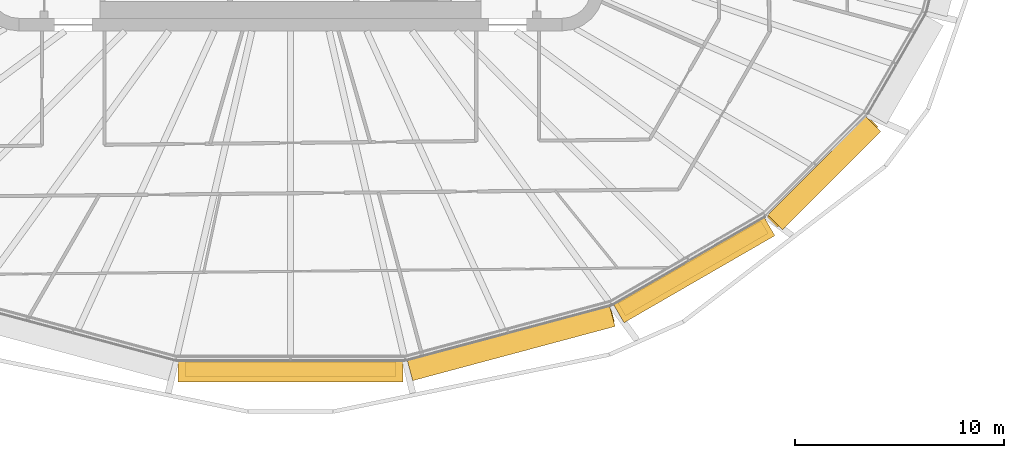
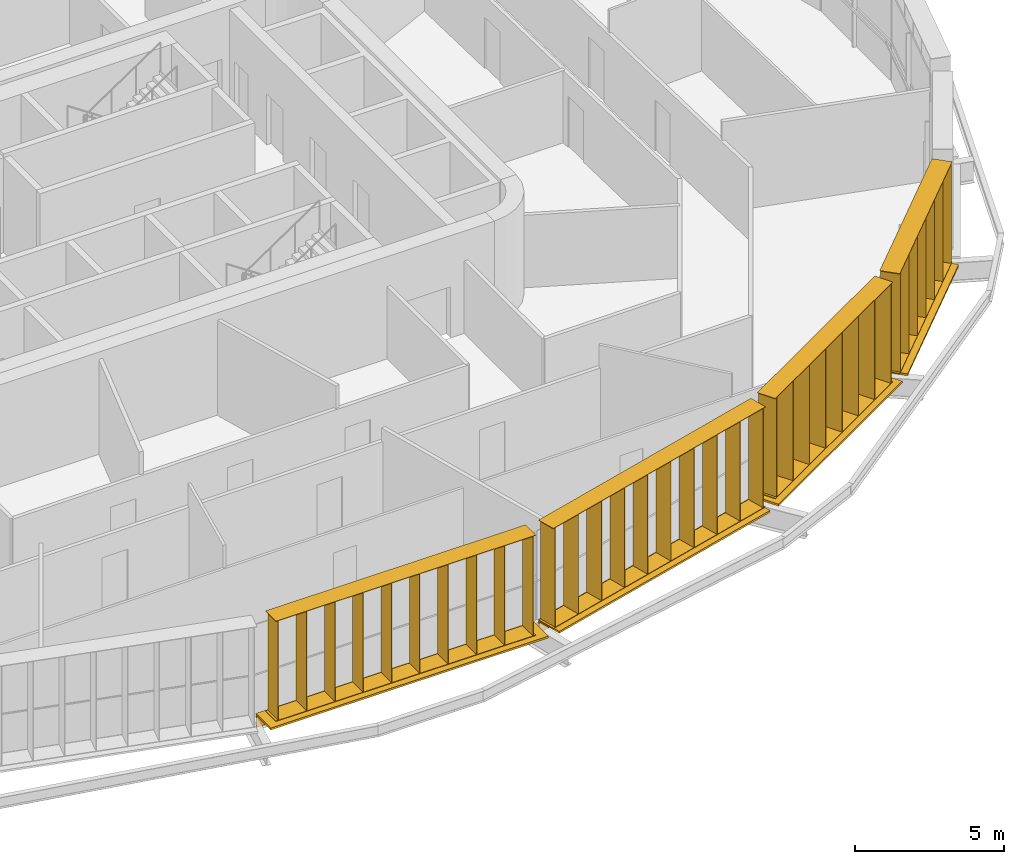
# One storey, part 23 of 26: 8 shading devices.
"""IFC4 building model written with IfcOpenShell, lengths in metres."""

import ifcopenshell
import ifcopenshell.guid

model = None  # the IFC model being written
_history = None  # IfcOwnerHistory: only IFC2X3 demands one
_inside = {}  # id of a spatial element -> (the spatial element, [elements in it])
_under = {}  # id of a project, library or spatial element -> (it, [spatial elements below it])
_declared = {}  # id of a project -> (the project, [libraries it declares])
_typed = {}  # id of a type object -> (the type object, [elements of that type])
_made_of = {}  # id of a material, layer set ... -> (it, [elements and type objects made of it])


def new_model(schema):
    """Start an empty IFC model of exactly this schema.

    Asked for "IFC4X3", IfcOpenShell would pick the latest addendum, in which some entities
    have other attributes; the version numbers below select the first issue.
    IFC2X3 requires an IfcOwnerHistory on every rooted entity: one is made here for all.
    """
    global model, _history
    if schema == "IFC4X3":
        model = ifcopenshell.file(schema_version=(4, 3, 0, 0))
    else:
        model = ifcopenshell.file(schema=schema)
    _inside.clear()
    _under.clear()
    _declared.clear()
    _typed.clear()
    _made_of.clear()
    _history = None
    if model.schema == "IFC2X3":
        org = make("IfcOrganization", Name="unknown")
        user = make(
            "IfcPersonAndOrganization",
            ThePerson=make("IfcPerson", FamilyName="unknown"),
            TheOrganization=org,
        )
        app = make(
            "IfcApplication",
            ApplicationDeveloper=org,
            Version="unknown",
            ApplicationFullName="unknown",
            ApplicationIdentifier="unknown",
        )
        _history = make(
            "IfcOwnerHistory",
            OwningUser=user,
            OwningApplication=app,
            ChangeAction="ADDED",
            CreationDate=0,
        )
    return model


def make(cls, **values):
    """One entity of the class cls with the attributes given. An attribute that is None is left unset."""
    return model.create_entity(
        cls, **{name: value for name, value in values.items() if value is not None}
    )


def rooted(cls, **values):
    """An entity with a GlobalId (a new one), such as an element, a storey or a relation."""
    return make(cls, GlobalId=ifcopenshell.guid.new(), OwnerHistory=_history, **values)


def si_unit(unit_type, name, prefix=None):
    """IfcSIUnit, for example si_unit("LENGTHUNIT", "METRE", prefix="MILLI")."""
    return make("IfcSIUnit", UnitType=unit_type, Prefix=prefix, Name=name)


def assignment(units):
    """IfcUnitAssignment: the units of a project."""
    return None if units is None else make("IfcUnitAssignment", Units=units)


def point(xyz):
    """IfcCartesianPoint."""
    return None if xyz is None else make("IfcCartesianPoint", Coordinates=xyz)


def direction(xyz):
    """IfcDirection."""
    return None if xyz is None else make("IfcDirection", DirectionRatios=xyz)


def frame(location, z_axis=None, x_axis=None):
    """IfcAxis2Placement3D, a coordinate frame: its origin and axes. An axis left out is left unset."""
    return make(
        "IfcAxis2Placement3D",
        Location=point(location),
        Axis=direction(z_axis),
        RefDirection=direction(x_axis),
    )


def frame_2d(location, x_axis=None):
    """IfcAxis2Placement2D, a coordinate frame in the plane: its origin and x axis."""
    return make(
        "IfcAxis2Placement2D", Location=point(location), RefDirection=direction(x_axis)
    )


def origin():
    """The frame at (0, 0, 0) with its axes left unset."""
    return frame((0.0, 0.0, 0.0))


def origin_2d():
    """The frame at (0, 0) in the plane with its x axis left unset."""
    return frame_2d((0.0, 0.0))


def place(relative_to, where):
    """IfcLocalPlacement: puts the frame where relative to a parent placement (None: the world)."""
    return make(
        "IfcLocalPlacement", PlacementRelTo=relative_to, RelativePlacement=where
    )


def context(
    kind, dimensions, precision=None, world=None, true_north=None, identifier=None
):
    """IfcGeometricRepresentationContext, for example the 3D "Model" context."""
    return make(
        "IfcGeometricRepresentationContext",
        ContextIdentifier=identifier,
        ContextType=kind,
        CoordinateSpaceDimension=dimensions,
        Precision=precision,
        WorldCoordinateSystem=world,
        TrueNorth=true_north,
    )


def subcontext(parent, identifier, kind, view, scale=None):
    """IfcGeometricRepresentationSubContext, for example "Body" below "Model"."""
    return make(
        "IfcGeometricRepresentationSubContext",
        ContextIdentifier=identifier,
        ContextType=kind,
        ParentContext=parent,
        TargetScale=scale,
        TargetView=view,
    )


def project(units=None, contexts=None):
    """IfcProject with its units and contexts."""
    return rooted(
        "IfcProject",
        Name="project",
        RepresentationContexts=contexts,
        UnitsInContext=assignment(units),
    )


def spatial(cls, under=None, at=None, **own):
    """A site, building, storey or space (cls), placed at a placement, below another one or the project."""
    s = rooted(cls, ObjectPlacement=at, **own)
    if under is not None:
        _under.setdefault(under.id(), (under, []))[1].append(s)
    return s


def profile(cls, at=None, kind="AREA", **sizes):
    """A parametric profile (cls). Its sizes go by their IFC names, for example OverallWidth=200.0."""
    return make(cls, ProfileType=kind, Position=at, **sizes)


def rectangle(**sizes):
    """IfcRectangleProfileDef."""
    return profile("IfcRectangleProfileDef", **sizes)


def extrude(swept, where, along, depth):
    """IfcExtrudedAreaSolid: the profile swept, set in the frame where, extruded along a direction by depth."""
    return make(
        "IfcExtrudedAreaSolid",
        SweptArea=swept,
        Position=where,
        ExtrudedDirection=direction(along),
        Depth=depth,
    )


def shape(context_of_items, identifier, shape_type, items):
    """IfcShapeRepresentation: the items that make up one representation, for example the "Body"."""
    return make(
        "IfcShapeRepresentation",
        ContextOfItems=context_of_items,
        RepresentationIdentifier=identifier,
        RepresentationType=shape_type,
        Items=items,
    )


def material(Name=None, Category=None):
    """IfcMaterial."""
    return make("IfcMaterial", Name=Name, Category=Category)


def made_of(thing, what):
    """Note that an element or type object is made of a material, layer set ...; save() writes the relation."""
    if what is not None:
        _made_of.setdefault(what.id(), (what, []))[1].append(thing)
    return thing


def type_object(cls, material=None, **own):
    """A type object (cls), such as IfcWallType, which elements share."""
    return made_of(rooted(cls, **own), material)


def element(
    cls,
    number,
    at=None,
    inside=None,
    cuts=None,
    type_object=None,
    material=None,
    context=None,
    identifier="Body",
    shape_type=None,
    held_by="IfcProductDefinitionShape",
    body=None,
    shapes=None,
    **own,
):
    """One element of the class cls, such as IfcWall. Its Tag is "e" and its number.

    at: its placement. inside: the storey or other place that contains it. cuts: it is an
    opening in that element (IfcRelVoidsElement). A single representation is given by context,
    identifier, shape_type and body (its items); several are given by shapes. held_by: the class
    of the entity that holds the representations. save() writes the other relations.
    """
    e = rooted(cls, Tag="e%d" % number, ObjectPlacement=at, **own)
    if body is not None:
        shapes = [shape(context, identifier, shape_type, body)]
    if shapes is not None:
        e.Representation = make(held_by, Representations=shapes)
    if inside is not None:
        _inside.setdefault(inside.id(), (inside, []))[1].append(e)
    if cuts is not None:
        rooted(
            "IfcRelVoidsElement", RelatingBuildingElement=cuts, RelatedOpeningElement=e
        )
    if type_object is not None:
        _typed.setdefault(type_object.id(), (type_object, []))[1].append(e)
    return made_of(e, material)


def aggregate(whole, parts):
    """IfcRelAggregates: a whole, such as a stair, and the parts it consists of."""
    return rooted("IfcRelAggregates", RelatingObject=whole, RelatedObjects=parts)


def save(model, path):
    """Write the relations noted so far, then the file.

    IfcRelAggregates (storeys below a building ...), IfcRelContainedInSpatialStructure (elements
    in a storey), IfcRelDefinesByType, IfcRelAssociatesMaterial and IfcRelDeclares: one each for
    every whole, place, type object, material and project.
    """
    for whole, parts in _under.values():
        aggregate(whole, parts)
    for where, things in _inside.values():
        rooted(
            "IfcRelContainedInSpatialStructure",
            RelatedElements=things,
            RelatingStructure=where,
        )
    for kind, things in _typed.values():
        rooted("IfcRelDefinesByType", RelatedObjects=things, RelatingType=kind)
    for what, things in _made_of.values():
        rooted("IfcRelAssociatesMaterial", RelatedObjects=things, RelatingMaterial=what)
    for by, libraries in _declared.values():
        rooted("IfcRelDeclares", RelatingContext=by, RelatedDefinitions=libraries)
    model.write(path)


model = new_model("IFC4")

# Units and contexts
model_context = context("Model", 3, precision=1e-05, world=origin(), true_north=direction((0.0, 1.0)))
body_context = subcontext(model_context, "Body", "Model", "MODEL_VIEW")
ifc_project = project(units=[si_unit("LENGTHUNIT", "METRE"), si_unit("AREAUNIT", "SQUARE_METRE"), si_unit("VOLUMEUNIT", "CUBIC_METRE"), si_unit("PLANEANGLEUNIT", "RADIAN"), si_unit("MASSUNIT", "GRAM", prefix="KILO")], contexts=[model_context])

# Site, building, storey
site_placement = place(None, origin())
site = spatial("IfcSite", under=ifc_project, at=site_placement, CompositionType="ELEMENT")
building_placement = place(site_placement, origin())
building = spatial("IfcBuilding", under=site, at=building_placement, Name="Sahrelin Media Tower", CompositionType="ELEMENT")
storey_placement = place(building_placement, frame((0.0, 0.0, 84.0)))
storey = spatial("IfcBuildingStorey", under=building, at=storey_placement, Name="L15", CompositionType="ELEMENT", Elevation=84.0)

# Shading devices
ifc_material = material(Name="Champagne anodised aluminium 6063-T6", Category="aluminium")
shading_device_type_1 = type_object("IfcShadingDeviceType", Name="Fin cassette", PredefinedType="USERDEFINED", material=ifc_material)
placement_1 = place(storey_placement, frame((0.0, -23.786376953125, 0.0), z_axis=(0.0, 0.0, 1.0), x_axis=(-1.0, 0.0, 0.0)))
element("IfcShadingDevice", 1, at=placement_1, inside=storey, type_object=shading_device_type_1, Name="L15:FIN:L15-18", ObjectType="FIN", PredefinedType="USERDEFINED", context=body_context, shape_type="SweptSolid", body=[
    extrude(rectangle(XDim=10.10009765625, YDim=0.699951171875, at=origin_2d()), frame((0.0, 0.419921875, 0.0)), (0.0, 0.0, 1.0), 0.02001953125),
    extrude(rectangle(XDim=10.10009765625, YDim=0.699951171875, at=origin_2d()), frame((0.0, 0.419921875, 4.10009765625)), (0.0, 0.0, 1.0), 0.02001953125),
    extrude(rectangle(XDim=0.02001953125, YDim=0.699951171875, at=origin_2d()), frame((-4.949951171875, 0.419921875, 0.010009765625), z_axis=(0.0, 0.0, 1.0), x_axis=(1.0, 0.0, 0.0)), (0.0, 0.0, 1.0), 4.10009765625),
    extrude(rectangle(XDim=0.02001953125, YDim=0.699951171875, at=origin_2d()), frame((-3.85009765625, 0.419921875, 0.010009765625), z_axis=(0.0, 0.0, 1.0), x_axis=(1.0, 0.0, 0.0)), (0.0, 0.0, 1.0), 4.10009765625),
    extrude(rectangle(XDim=0.02001953125, YDim=0.699951171875, at=origin_2d()), frame((-2.75, 0.419921875, 0.010009765625), z_axis=(0.0, 0.0, 1.0), x_axis=(1.0, 0.0, 0.0)), (0.0, 0.0, 1.0), 4.10009765625),
    extrude(rectangle(XDim=0.02001953125, YDim=0.699951171875, at=origin_2d()), frame((-1.64990234375, 0.419921875, 0.010009765625), z_axis=(0.0, 0.0, 1.0), x_axis=(1.0, 0.0, 0.0)), (0.0, 0.0, 1.0), 4.10009765625),
    extrude(rectangle(XDim=0.02001953125, YDim=0.699951171875, at=origin_2d()), frame((-0.550048828125, 0.419921875, 0.010009765625), z_axis=(0.0, 0.0, 1.0), x_axis=(1.0, 0.0, 0.0)), (0.0, 0.0, 1.0), 4.10009765625),
    extrude(rectangle(XDim=0.02001953125, YDim=0.699951171875, at=origin_2d()), frame((0.550048828125, 0.419921875, 0.010009765625), z_axis=(0.0, 0.0, 1.0), x_axis=(1.0, 0.0, 0.0)), (0.0, 0.0, 1.0), 4.10009765625),
    extrude(rectangle(XDim=0.02001953125, YDim=0.699951171875, at=origin_2d()), frame((1.64990234375, 0.419921875, 0.010009765625), z_axis=(0.0, 0.0, 1.0), x_axis=(1.0, 0.0, 0.0)), (0.0, 0.0, 1.0), 4.10009765625),
    extrude(rectangle(XDim=0.02001953125, YDim=0.699951171875, at=origin_2d()), frame((2.75, 0.419921875, 0.010009765625), z_axis=(0.0, 0.0, 1.0), x_axis=(1.0, 0.0, 0.0)), (0.0, 0.0, 1.0), 4.10009765625),
    extrude(rectangle(XDim=0.02001953125, YDim=0.699951171875, at=origin_2d()), frame((3.85009765625, 0.419921875, 0.010009765625), z_axis=(0.0, 0.0, 1.0), x_axis=(1.0, 0.0, 0.0)), (0.0, 0.0, 1.0), 4.10009765625),
    extrude(rectangle(XDim=0.02001953125, YDim=0.699951171875, at=origin_2d()), frame((4.949951171875, 0.419921875, 0.010009765625), z_axis=(0.0, 0.0, 1.0), x_axis=(1.0, 0.0, 0.0)), (0.0, 0.0, 1.0), 4.10009765625),
])
placement_2 = place(storey_placement, frame((10.436279296875, -22.4619140625, 0.0), z_axis=(0.0, 0.0, 1.0), x_axis=(-0.965928857556, -0.258807731996, 0.0)))
element("IfcShadingDevice", 2, at=placement_2, inside=storey, type_object=shading_device_type_1, Name="L15:FIN:L15-19", ObjectType="FIN", PredefinedType="USERDEFINED", context=body_context, shape_type="SweptSolid", body=[
    extrude(rectangle(XDim=10.10009765625, YDim=0.699951171875, at=origin_2d()), frame((0.0, 0.419921875, 0.0)), (0.0, 0.0, 1.0), 0.02001953125),
    extrude(rectangle(XDim=10.10009765625, YDim=0.699951171875, at=origin_2d()), frame((0.0, 0.419921875, 4.10009765625)), (0.0, 0.0, 1.0), 0.02001953125),
    extrude(rectangle(XDim=0.02001953125, YDim=0.699951171875, at=origin_2d()), frame((-4.949951171875, 0.419921875, 0.010009765625), z_axis=(0.0, 0.0, 1.0), x_axis=(1.0, 0.0, 0.0)), (0.0, 0.0, 1.0), 4.10009765625),
    extrude(rectangle(XDim=0.02001953125, YDim=0.699951171875, at=origin_2d()), frame((-3.85009765625, 0.419921875, 0.010009765625), z_axis=(0.0, 0.0, 1.0), x_axis=(1.0, 0.0, 0.0)), (0.0, 0.0, 1.0), 4.10009765625),
    extrude(rectangle(XDim=0.02001953125, YDim=0.699951171875, at=origin_2d()), frame((-2.75, 0.419921875, 0.010009765625), z_axis=(0.0, 0.0, 1.0), x_axis=(1.0, 0.0, 0.0)), (0.0, 0.0, 1.0), 4.10009765625),
    extrude(rectangle(XDim=0.02001953125, YDim=0.699951171875, at=origin_2d()), frame((-1.64990234375, 0.419921875, 0.010009765625), z_axis=(0.0, 0.0, 1.0), x_axis=(1.0, 0.0, 0.0)), (0.0, 0.0, 1.0), 4.10009765625),
    extrude(rectangle(XDim=0.02001953125, YDim=0.699951171875, at=origin_2d()), frame((-0.550048828125, 0.419921875, 0.010009765625), z_axis=(0.0, 0.0, 1.0), x_axis=(1.0, 0.0, 0.0)), (0.0, 0.0, 1.0), 4.10009765625),
    extrude(rectangle(XDim=0.02001953125, YDim=0.699951171875, at=origin_2d()), frame((0.550048828125, 0.419921875, 0.010009765625), z_axis=(0.0, 0.0, 1.0), x_axis=(1.0, 0.0, 0.0)), (0.0, 0.0, 1.0), 4.10009765625),
    extrude(rectangle(XDim=0.02001953125, YDim=0.699951171875, at=origin_2d()), frame((1.64990234375, 0.419921875, 0.010009765625), z_axis=(0.0, 0.0, 1.0), x_axis=(1.0, 0.0, 0.0)), (0.0, 0.0, 1.0), 4.10009765625),
    extrude(rectangle(XDim=0.02001953125, YDim=0.699951171875, at=origin_2d()), frame((2.75, 0.419921875, 0.010009765625), z_axis=(0.0, 0.0, 1.0), x_axis=(1.0, 0.0, 0.0)), (0.0, 0.0, 1.0), 4.10009765625),
    extrude(rectangle(XDim=0.02001953125, YDim=0.699951171875, at=origin_2d()), frame((3.85009765625, 0.419921875, 0.010009765625), z_axis=(0.0, 0.0, 1.0), x_axis=(1.0, 0.0, 0.0)), (0.0, 0.0, 1.0), 4.10009765625),
    extrude(rectangle(XDim=0.02001953125, YDim=0.699951171875, at=origin_2d()), frame((4.949951171875, 0.419921875, 0.010009765625), z_axis=(0.0, 0.0, 1.0), x_axis=(1.0, 0.0, 0.0)), (0.0, 0.0, 1.0), 4.10009765625),
])
placement_3 = place(storey_placement, frame((19.074951171875, -19.003662109375, 0.0), z_axis=(0.0, 0.0, 1.0), x_axis=(-0.866019052629, -0.500011000363, 0.0)))
element("IfcShadingDevice", 3, at=placement_3, inside=storey, type_object=shading_device_type_1, Name="L15:FIN:L15-20", ObjectType="FIN", PredefinedType="USERDEFINED", context=body_context, shape_type="SweptSolid", body=[
    extrude(rectangle(XDim=7.89990234375, YDim=0.699951171875, at=origin_2d()), frame((0.0, 0.419921875, 0.0)), (0.0, 0.0, 1.0), 0.02001953125),
    extrude(rectangle(XDim=7.89990234375, YDim=0.699951171875, at=origin_2d()), frame((0.0, 0.419921875, 4.10009765625)), (0.0, 0.0, 1.0), 0.02001953125),
    extrude(rectangle(XDim=0.02001953125, YDim=0.699951171875, at=origin_2d()), frame((-3.85009765625, 0.419921875, 0.010009765625), z_axis=(0.0, 0.0, 1.0), x_axis=(1.0, 0.0, 0.0)), (0.0, 0.0, 1.0), 4.10009765625),
    extrude(rectangle(XDim=0.02001953125, YDim=0.699951171875, at=origin_2d()), frame((-2.75, 0.419921875, 0.010009765625), z_axis=(0.0, 0.0, 1.0), x_axis=(1.0, 0.0, 0.0)), (0.0, 0.0, 1.0), 4.10009765625),
    extrude(rectangle(XDim=0.02001953125, YDim=0.699951171875, at=origin_2d()), frame((-1.64990234375, 0.419921875, 0.010009765625), z_axis=(0.0, 0.0, 1.0), x_axis=(1.0, 0.0, 0.0)), (0.0, 0.0, 1.0), 4.10009765625),
    extrude(rectangle(XDim=0.02001953125, YDim=0.699951171875, at=origin_2d()), frame((-0.550048828125, 0.419921875, 0.010009765625), z_axis=(0.0, 0.0, 1.0), x_axis=(1.0, 0.0, 0.0)), (0.0, 0.0, 1.0), 4.10009765625),
    extrude(rectangle(XDim=0.02001953125, YDim=0.699951171875, at=origin_2d()), frame((0.550048828125, 0.419921875, 0.010009765625), z_axis=(0.0, 0.0, 1.0), x_axis=(1.0, 0.0, 0.0)), (0.0, 0.0, 1.0), 4.10009765625),
    extrude(rectangle(XDim=0.02001953125, YDim=0.699951171875, at=origin_2d()), frame((1.64990234375, 0.419921875, 0.010009765625), z_axis=(0.0, 0.0, 1.0), x_axis=(1.0, 0.0, 0.0)), (0.0, 0.0, 1.0), 4.10009765625),
    extrude(rectangle(XDim=0.02001953125, YDim=0.699951171875, at=origin_2d()), frame((2.75, 0.419921875, 0.010009765625), z_axis=(0.0, 0.0, 1.0), x_axis=(1.0, 0.0, 0.0)), (0.0, 0.0, 1.0), 4.10009765625),
    extrude(rectangle(XDim=0.02001953125, YDim=0.699951171875, at=origin_2d()), frame((3.85009765625, 0.419921875, 0.010009765625), z_axis=(0.0, 0.0, 1.0), x_axis=(1.0, 0.0, 0.0)), (0.0, 0.0, 1.0), 4.10009765625),
])
placement_4 = place(storey_placement, frame((25.192138671875, -14.44873046875, 0.0), z_axis=(0.0, 0.0, 1.0), x_axis=(-0.707106781187, -0.707106781187, 0.0)))
element("IfcShadingDevice", 4, at=placement_4, inside=storey, type_object=shading_device_type_1, Name="L15:FIN:L15-21", ObjectType="FIN", PredefinedType="USERDEFINED", context=body_context, shape_type="SweptSolid", body=[
    extrude(rectangle(XDim=6.800048828125, YDim=0.699951171875, at=origin_2d()), frame((0.0, 0.419921875, 0.0)), (0.0, 0.0, 1.0), 0.02001953125),
    extrude(rectangle(XDim=6.800048828125, YDim=0.699951171875, at=origin_2d()), frame((0.0, 0.419921875, 4.10009765625)), (0.0, 0.0, 1.0), 0.02001953125),
    extrude(rectangle(XDim=0.02001953125, YDim=0.699951171875, at=origin_2d()), frame((-3.300048828125, 0.419921875, 0.010009765625), z_axis=(0.0, 0.0, 1.0), x_axis=(1.0, 0.0, 0.0)), (0.0, 0.0, 1.0), 4.10009765625),
    extrude(rectangle(XDim=0.02001953125, YDim=0.699951171875, at=origin_2d()), frame((-2.199951171875, 0.419921875, 0.010009765625), z_axis=(0.0, 0.0, 1.0), x_axis=(1.0, 0.0, 0.0)), (0.0, 0.0, 1.0), 4.10009765625),
    extrude(rectangle(XDim=0.02001953125, YDim=0.699951171875, at=origin_2d()), frame((-1.10009765625, 0.419921875, 0.010009765625), z_axis=(0.0, 0.0, 1.0), x_axis=(1.0, 0.0, 0.0)), (0.0, 0.0, 1.0), 4.10009765625),
    extrude(rectangle(XDim=0.02001953125, YDim=0.699951171875, at=origin_2d()), frame((0.0, 0.419921875, 0.010009765625), z_axis=(0.0, 0.0, 1.0), x_axis=(1.0, 0.0, 0.0)), (0.0, 0.0, 1.0), 4.10009765625),
    extrude(rectangle(XDim=0.02001953125, YDim=0.699951171875, at=origin_2d()), frame((1.10009765625, 0.419921875, 0.010009765625), z_axis=(0.0, 0.0, 1.0), x_axis=(1.0, 0.0, 0.0)), (0.0, 0.0, 1.0), 4.10009765625),
    extrude(rectangle(XDim=0.02001953125, YDim=0.699951171875, at=origin_2d()), frame((2.199951171875, 0.419921875, 0.010009765625), z_axis=(0.0, 0.0, 1.0), x_axis=(1.0, 0.0, 0.0)), (0.0, 0.0, 1.0), 4.10009765625),
    extrude(rectangle(XDim=0.02001953125, YDim=0.699951171875, at=origin_2d()), frame((3.300048828125, 0.419921875, 0.010009765625), z_axis=(0.0, 0.0, 1.0), x_axis=(1.0, 0.0, 0.0)), (0.0, 0.0, 1.0), 4.10009765625),
])
shading_device_type_2 = type_object("IfcShadingDeviceType", Name="Sunshade band", PredefinedType="USERDEFINED", material=ifc_material)
element("IfcShadingDevice", 5, at=placement_1, inside=storey, type_object=shading_device_type_2, Name="L15:SUN:L15-18", ObjectType="SUNSHADE", PredefinedType="USERDEFINED", context=body_context, shape_type="SweptSolid", body=[
    extrude(rectangle(XDim=10.7880859375, YDim=0.050048828125, at=origin_2d()), frame((0.0, 0.044921875, -0.55126953125)), (0.0, 0.0, 1.0), 0.471435546875),
    extrude(rectangle(XDim=10.7880859375, YDim=1.0, at=origin_2d()), frame((0.0, 0.52001953125, -0.080078125)), (0.0, 0.0, 1.0), 0.080078125),
    extrude(rectangle(XDim=0.10009765625, YDim=0.074951171875, at=origin_2d()), frame((-5.2939453125, -0.017578125, -0.47021484375)), (0.0, 0.0, 1.0), 0.300048828125),
    extrude(rectangle(XDim=0.10009765625, YDim=0.074951171875, at=origin_2d()), frame((-3.529296875, -0.017578125, -0.47021484375)), (0.0, 0.0, 1.0), 0.300048828125),
    extrude(rectangle(XDim=0.10009765625, YDim=0.074951171875, at=origin_2d()), frame((-1.7646484375, -0.017578125, -0.47021484375)), (0.0, 0.0, 1.0), 0.300048828125),
    extrude(rectangle(XDim=0.10009765625, YDim=0.074951171875, at=origin_2d()), frame((0.0, -0.017578125, -0.47021484375)), (0.0, 0.0, 1.0), 0.300048828125),
    extrude(rectangle(XDim=0.10009765625, YDim=0.074951171875, at=origin_2d()), frame((1.7646484375, -0.017578125, -0.47021484375)), (0.0, 0.0, 1.0), 0.300048828125),
    extrude(rectangle(XDim=0.10009765625, YDim=0.074951171875, at=origin_2d()), frame((3.529296875, -0.017578125, -0.47021484375)), (0.0, 0.0, 1.0), 0.300048828125),
    extrude(rectangle(XDim=0.10009765625, YDim=0.074951171875, at=origin_2d()), frame((5.2939453125, -0.017578125, -0.47021484375)), (0.0, 0.0, 1.0), 0.300048828125),
])
element("IfcShadingDevice", 6, at=placement_2, inside=storey, type_object=shading_device_type_2, Name="L15:SUN:L15-19", ObjectType="SUNSHADE", PredefinedType="USERDEFINED", context=body_context, shape_type="SweptSolid", body=[
    extrude(rectangle(XDim=10.033203125, YDim=0.050048828125, at=origin_2d()), frame((0.0, 0.044921875, -0.55126953125)), (0.0, 0.0, 1.0), 0.471435546875),
    extrude(rectangle(XDim=10.033203125, YDim=1.0, at=origin_2d()), frame((0.0, 0.52001953125, -0.080078125)), (0.0, 0.0, 1.0), 0.080078125),
    extrude(rectangle(XDim=0.10009765625, YDim=0.074951171875, at=origin_2d()), frame((-4.91650390625, -0.017578125, -0.47021484375)), (0.0, 0.0, 1.0), 0.300048828125),
    extrude(rectangle(XDim=0.10009765625, YDim=0.074951171875, at=origin_2d()), frame((-3.277587890625, -0.017578125, -0.47021484375)), (0.0, 0.0, 1.0), 0.300048828125),
    extrude(rectangle(XDim=0.10009765625, YDim=0.074951171875, at=origin_2d()), frame((-1.638916015625, -0.017578125, -0.47021484375)), (0.0, 0.0, 1.0), 0.300048828125),
    extrude(rectangle(XDim=0.10009765625, YDim=0.074951171875, at=origin_2d()), frame((0.0, -0.017578125, -0.47021484375)), (0.0, 0.0, 1.0), 0.300048828125),
    extrude(rectangle(XDim=0.10009765625, YDim=0.074951171875, at=origin_2d()), frame((1.638916015625, -0.017578125, -0.47021484375)), (0.0, 0.0, 1.0), 0.300048828125),
    extrude(rectangle(XDim=0.10009765625, YDim=0.074951171875, at=origin_2d()), frame((3.277587890625, -0.017578125, -0.47021484375)), (0.0, 0.0, 1.0), 0.300048828125),
    extrude(rectangle(XDim=0.10009765625, YDim=0.074951171875, at=origin_2d()), frame((4.91650390625, -0.017578125, -0.47021484375)), (0.0, 0.0, 1.0), 0.300048828125),
])
element("IfcShadingDevice", 7, at=placement_3, inside=storey, type_object=shading_device_type_2, Name="L15:SUN:L15-20", ObjectType="SUNSHADE", PredefinedType="USERDEFINED", context=body_context, shape_type="SweptSolid", body=[
    extrude(rectangle(XDim=8.336669921875, YDim=0.050048828125, at=origin_2d()), frame((0.0, 0.044921875, -0.55126953125)), (0.0, 0.0, 1.0), 0.471435546875),
    extrude(rectangle(XDim=8.336669921875, YDim=1.0, at=origin_2d()), frame((0.0, 0.52001953125, -0.080078125)), (0.0, 0.0, 1.0), 0.080078125),
    extrude(rectangle(XDim=0.10009765625, YDim=0.074951171875, at=origin_2d()), frame((-4.068359375, -0.017578125, -0.47021484375)), (0.0, 0.0, 1.0), 0.300048828125),
    extrude(rectangle(XDim=0.10009765625, YDim=0.074951171875, at=origin_2d()), frame((-2.44091796875, -0.017578125, -0.47021484375)), (0.0, 0.0, 1.0), 0.300048828125),
    extrude(rectangle(XDim=0.10009765625, YDim=0.074951171875, at=origin_2d()), frame((-0.813720703125, -0.017578125, -0.47021484375)), (0.0, 0.0, 1.0), 0.300048828125),
    extrude(rectangle(XDim=0.10009765625, YDim=0.074951171875, at=origin_2d()), frame((0.813720703125, -0.017578125, -0.47021484375)), (0.0, 0.0, 1.0), 0.300048828125),
    extrude(rectangle(XDim=0.10009765625, YDim=0.074951171875, at=origin_2d()), frame((2.44091796875, -0.017578125, -0.47021484375)), (0.0, 0.0, 1.0), 0.300048828125),
    extrude(rectangle(XDim=0.10009765625, YDim=0.074951171875, at=origin_2d()), frame((4.068359375, -0.017578125, -0.47021484375)), (0.0, 0.0, 1.0), 0.300048828125),
])
element("IfcShadingDevice", 8, at=placement_4, inside=storey, type_object=shading_device_type_2, Name="L15:SUN:L15-21", ObjectType="SUNSHADE", PredefinedType="USERDEFINED", context=body_context, shape_type="SweptSolid", body=[
    extrude(rectangle(XDim=6.64697265625, YDim=0.050048828125, at=origin_2d()), frame((0.0, 0.044921875, -0.55126953125)), (0.0, 0.0, 1.0), 0.471435546875),
    extrude(rectangle(XDim=6.64697265625, YDim=1.0, at=origin_2d()), frame((0.0, 0.52001953125, -0.080078125)), (0.0, 0.0, 1.0), 0.080078125),
    extrude(rectangle(XDim=0.10009765625, YDim=0.074951171875, at=origin_2d()), frame((-3.223388671875, -0.017578125, -0.47021484375)), (0.0, 0.0, 1.0), 0.300048828125),
    extrude(rectangle(XDim=0.10009765625, YDim=0.074951171875, at=origin_2d()), frame((-1.61181640625, -0.017578125, -0.47021484375)), (0.0, 0.0, 1.0), 0.300048828125),
    extrude(rectangle(XDim=0.10009765625, YDim=0.074951171875, at=origin_2d()), frame((0.0, -0.017578125, -0.47021484375)), (0.0, 0.0, 1.0), 0.300048828125),
    extrude(rectangle(XDim=0.10009765625, YDim=0.074951171875, at=origin_2d()), frame((1.61181640625, -0.017578125, -0.47021484375)), (0.0, 0.0, 1.0), 0.300048828125),
    extrude(rectangle(XDim=0.10009765625, YDim=0.074951171875, at=origin_2d()), frame((3.223388671875, -0.017578125, -0.47021484375)), (0.0, 0.0, 1.0), 0.300048828125),
])

save(model, "model.ifc")
